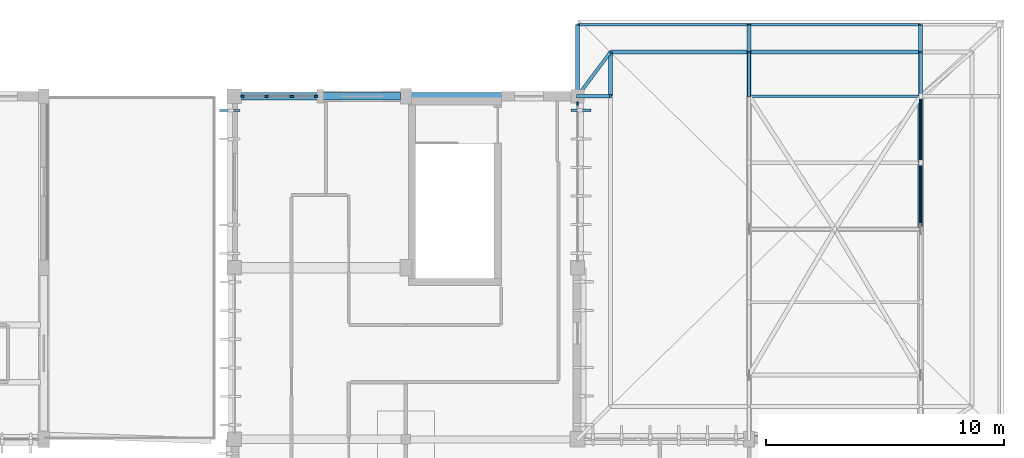
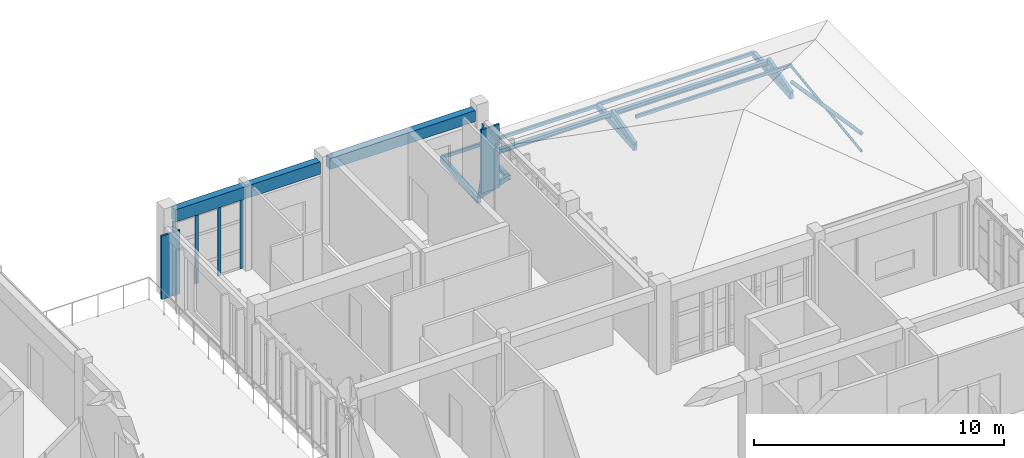
# One storey, part 17 of 51: 22 members, 2 beams, 2 elements without a shape of their own.
"""IFC4 building model written with IfcOpenShell, lengths in metres."""

from ifc_helpers import new_model, si_unit, direction, frame, origin, origin_2d, place, context, subcontext, project, spatial, rectangle, hollow_rectangle, hollow_circle, i_section, extrude, material, material_profile, profile_set, type_object, element, aggregate, save


model = new_model("IFC4")

# Units and contexts
model_context = context("Model", 3, precision=1e-05, world=origin(), true_north=direction((0.0, 1.0)))
body_context = subcontext(model_context, "Body", "Model", "MODEL_VIEW")
ifc_project = project(units=[si_unit("LENGTHUNIT", "METRE"), si_unit("AREAUNIT", "SQUARE_METRE"), si_unit("VOLUMEUNIT", "CUBIC_METRE"), si_unit("PLANEANGLEUNIT", "RADIAN"), si_unit("MASSUNIT", "GRAM", prefix="KILO")], contexts=[model_context])

# Site, building, storey
site_placement = place(None, origin())
site = spatial("IfcSite", under=ifc_project, at=site_placement, CompositionType="ELEMENT")
building_placement = place(site_placement, origin())
building = spatial("IfcBuilding", under=site, at=building_placement, Name="Steenspoor Specialist Clinic", CompositionType="ELEMENT")
storey_placement = place(building_placement, frame((0.0, 0.0, 17.39990234375)))
storey = spatial("IfcBuildingStorey", under=building, at=storey_placement, Name="L04", CompositionType="ELEMENT", Elevation=17.39990234375)

# Curtain wall, member
ifc_material_1 = material(Name="Thermally broken aluminium and low-emissivity glass", Category="aluminium")
curtain_wall_type_1 = type_object("IfcCurtainWallType", Name="CW-TYP-240X355", PredefinedType="USERDEFINED", material=ifc_material_1)
curtain_wall_1_placement = place(storey_placement, origin())
curtain_wall_1 = element("IfcCurtainWall", 1, at=curtain_wall_1_placement, inside=storey, type_object=curtain_wall_type_1, Name="Unitised Curtain Wall CW-V6-L04-208", ObjectType="UNITISED GLAZING", PredefinedType="USERDEFINED")
ifc_material_2 = material(Name="Thermally broken aluminium 6063-T6", Category="aluminium")
ifc_material_profile_1 = material_profile(ifc_material_2, rectangle(XDim=0.06005859375, YDim=0.135009765625, at=origin_2d()), Name="CWM-60X135")
ifc_profile_set_1 = profile_set([ifc_material_profile_1], Name="Thermally broken aluminium 6063-T6")
member_type_1 = type_object("IfcMemberType", Name="CW-MULL-60X135", PredefinedType="MULLION", material=ifc_profile_set_1)
member_1_placement = place(storey_placement, frame((132.39990234375, 108.044921875, 0.0), z_axis=(0.0, 0.0, 1.0), x_axis=(1.0, 0.0, 0.0)))
member_1 = element("IfcMember", 2, at=member_1_placement, type_object=member_type_1, Name="CW-16 mullion 1", PredefinedType="MULLION", context=body_context, shape_type="SweptSolid", body=[
    extrude(rectangle(XDim=0.06005859375, YDim=0.135009765625, at=origin_2d()), origin(), (0.0, 0.0, 1.0), 3.380126953125),
])
aggregate(curtain_wall_1, [member_1])

# Curtain wall, members
curtain_wall_type_2 = type_object("IfcCurtainWallType", Name="CW-TYP-300X355", PredefinedType="USERDEFINED", material=ifc_material_1)
curtain_wall_2_placement = place(storey_placement, origin())
curtain_wall_2 = element("IfcCurtainWall", 3, at=curtain_wall_2_placement, inside=storey, type_object=curtain_wall_type_2, Name="Unitised Curtain Wall CW-V6-L04-207", ObjectType="UNITISED GLAZING", PredefinedType="USERDEFINED")
ifc_material_profile_2 = material_profile(ifc_material_2, rectangle(XDim=0.06494140625, YDim=0.14990234375, at=origin_2d()), Name="CWM-65X150")
ifc_profile_set_2 = profile_set([ifc_material_profile_2], Name="Thermally broken aluminium 6063-T6")
member_type_2 = type_object("IfcMemberType", Name="CW-MULL-65X150", PredefinedType="MULLION", material=ifc_profile_set_2)
member_2_placement = place(storey_placement, frame((118.33251953125, 108.35009765625, 0.0), z_axis=(0.0, 0.0, 1.0), x_axis=(0.0, 1.0, 0.0)))
member_2 = element("IfcMember", 4, at=member_2_placement, type_object=member_type_2, Name="CW-15 mullion 1", PredefinedType="MULLION", context=body_context, shape_type="SweptSolid", body=[
    extrude(rectangle(XDim=0.06494140625, YDim=0.14990234375, at=origin_2d()), origin(), (0.0, 0.0, 1.0), 3.380126953125),
])
member_3_placement = place(storey_placement, frame((119.353271484375, 108.35009765625, 0.0), z_axis=(0.0, 0.0, 1.0), x_axis=(0.0, 1.0, 0.0)))
member_3 = element("IfcMember", 5, at=member_3_placement, type_object=member_type_2, Name="CW-15 mullion 2", PredefinedType="MULLION", context=body_context, shape_type="SweptSolid", body=[
    extrude(rectangle(XDim=0.06494140625, YDim=0.14990234375, at=origin_2d()), origin(), (0.0, 0.0, 1.0), 3.380126953125),
])
member_4_placement = place(storey_placement, frame((120.40673828125, 108.35009765625, 0.0), z_axis=(0.0, 0.0, 1.0), x_axis=(0.0, 1.0, 0.0)))
member_4 = element("IfcMember", 6, at=member_4_placement, type_object=member_type_2, Name="CW-15 mullion 3", PredefinedType="MULLION", context=body_context, shape_type="SweptSolid", body=[
    extrude(rectangle(XDim=0.06494140625, YDim=0.14990234375, at=origin_2d()), origin(), (0.0, 0.0, 1.0), 3.380126953125),
])
member_5_placement = place(storey_placement, frame((121.427490234375, 108.35009765625, 0.0), z_axis=(0.0, 0.0, 1.0), x_axis=(0.0, 1.0, 0.0)))
member_5 = element("IfcMember", 7, at=member_5_placement, type_object=member_type_2, Name="CW-15 mullion 4", PredefinedType="MULLION", context=body_context, shape_type="SweptSolid", body=[
    extrude(rectangle(XDim=0.06494140625, YDim=0.14990234375, at=origin_2d()), origin(), (0.0, 0.0, 1.0), 3.380126953125),
])
aggregate(curtain_wall_2, [member_2, member_3, member_4, member_5])

# Members
ifc_material_3 = material(Name="Steel A500 Grade C", Category="steel")
ifc_material_profile_3 = material_profile(ifc_material_3, hollow_circle(Radius=0.084228515625, WallThickness=0.007080078125, at=origin_2d()), Name="CHS168X7.1")
ifc_profile_set_3 = profile_set([ifc_material_profile_3], Name="Steel A500 Grade C")
member_type_3 = type_object("IfcMemberType", Name="MEM-BRACE-CHS168", PredefinedType="BRACE", material=ifc_profile_set_3)
member_6_placement = place(storey_placement, frame((146.800048828125, 102.764892578125, 1.069091796875), z_axis=(0.0, 0.988153469822, -0.15346895477), x_axis=(-1.0, 0.0, 0.0)))
element("IfcMember", 8, at=member_6_placement, inside=storey, type_object=member_type_3, Name="ROOF TRUSS Web Brace V6T3 3.2", PredefinedType="BRACE", context=body_context, shape_type="SweptSolid", body=[
    extrude(hollow_circle(Radius=0.084228515625, WallThickness=0.007080078125, at=origin_2d()), origin(), (0.0, 0.0, 1.0), 5.652099609375),
])
ifc_material_profile_4 = material_profile(ifc_material_3, hollow_rectangle(XDim=0.1015625, YDim=0.15234375, WallThickness=0.005859375, at=origin_2d()), Name="HSS152X102X6.4")
ifc_profile_set_4 = profile_set([ifc_material_profile_4], Name="Steel A500 Grade C")
member_type_4 = type_object("IfcMemberType", Name="MEM-PURLIN-H152", PredefinedType="PURLIN", material=ifc_profile_set_4)
member_7_placement = place(storey_placement, frame((132.39990234375, 111.35009765625, -0.2431640625), z_axis=(1.0, 0.0, 0.0), x_axis=(0.0, 1.0, 0.0)))
element("IfcMember", 9, at=member_7_placement, inside=storey, type_object=member_type_4, Name="ROOF TRUSS Eave Fascia 492", PredefinedType="PURLIN", context=body_context, shape_type="SweptSolid", body=[
    extrude(hollow_rectangle(XDim=0.1015625, YDim=0.15234375, WallThickness=0.005859375, at=origin_2d()), origin(), (0.0, 0.0, 1.0), 7.2001953125),
])
for number, where, z_axis, x_axis, name in (
    (10, (139.60009765625, 111.35009765625, -0.19482421875), (1.0, 0.0, 0.0), (0.0, 1.0, 0.0), "ROOF TRUSS Eave Fascia 493"),
    (11, (139.60009765625, 108.35009765625, 1.023681640625), (1.0, 0.0, 0.0), (0.0, 1.0, 0.0), "ROOF TRUSS Purlin 511"),
):
    element("IfcMember", number, at=place(storey_placement, frame(where, z_axis=z_axis, x_axis=x_axis)), inside=storey, type_object=member_type_4, Name=name, PredefinedType="PURLIN", context=body_context, shape_type="SweptSolid", body=[
        extrude(hollow_rectangle(XDim=0.1015625, YDim=0.15234375, WallThickness=0.005859375, at=origin_2d()), origin(), (0.0, 0.0, 1.0), 7.199951171875),
    ])
ifc_material_4 = material(Name="Steel A992 Grade 50", Category="steel")
ifc_material_profile_5 = material_profile(ifc_material_4, i_section(OverallWidth=0.1650390625, OverallDepth=0.200927734375, WebThickness=0.006103515625, FlangeThickness=0.01025390625, at=origin_2d()), Name="W200X36")
ifc_profile_set_5 = profile_set([ifc_material_profile_5], Name="Steel A992 Grade 50")
member_type_5 = type_object("IfcMemberType", Name="MEM-PURLIN-W200", PredefinedType="PURLIN", material=ifc_profile_set_5)
member_8_placement = place(storey_placement, frame((133.780029296875, 110.199951171875, 0.065185546875), z_axis=(1.0, 0.0, 0.0), x_axis=(0.0, 1.0, 0.0)))
element("IfcMember", 12, at=member_8_placement, inside=storey, type_object=member_type_5, Name="ROOF TRUSS Knuckle Purlin 498", PredefinedType="PURLIN", context=body_context, shape_type="SweptSolid", body=[
    extrude(i_section(OverallWidth=0.1650390625, OverallDepth=0.200927734375, WebThickness=0.006103515625, FlangeThickness=0.01025390625, at=origin_2d()), origin(), (0.0, 0.0, 1.0), 5.820068359375),
])
member_9_placement = place(storey_placement, frame((139.60009765625, 110.199951171875, 0.065185546875), z_axis=(1.0, 0.0, 0.0), x_axis=(0.0, 1.0, 0.0)))
element("IfcMember", 13, at=member_9_placement, inside=storey, type_object=member_type_5, Name="ROOF TRUSS Knuckle Purlin 500", PredefinedType="PURLIN", context=body_context, shape_type="SweptSolid", body=[
    extrude(i_section(OverallWidth=0.1650390625, OverallDepth=0.200927734375, WebThickness=0.006103515625, FlangeThickness=0.01025390625, at=origin_2d()), origin(), (0.0, 0.0, 1.0), 7.199951171875),
])
member_10_placement = place(storey_placement, frame((133.780029296875, 108.35009765625, 0.065185546875), z_axis=(0.0, 1.0, 0.0), x_axis=(-1.0, 0.0, 0.0)))
element("IfcMember", 14, at=member_10_placement, inside=storey, type_object=member_type_5, Name="ROOF TRUSS Knuckle Purlin 504", PredefinedType="PURLIN", context=body_context, shape_type="SweptSolid", body=[
    extrude(i_section(OverallWidth=0.1650390625, OverallDepth=0.200927734375, WebThickness=0.006103515625, FlangeThickness=0.01025390625, at=origin_2d()), origin(), (0.0, 0.0, 1.0), 1.849853515625),
])
ifc_material_5 = material(Name="Glulam GL28h", Category="wood")
ifc_material_profile_6 = material_profile(ifc_material_5, rectangle(XDim=0.139892578125, YDim=0.219970703125, at=origin_2d()), Name="GL28H-140X220")
ifc_profile_set_6 = profile_set([ifc_material_profile_6], Name="Glulam GL28h")
member_type_6 = type_object("IfcMemberType", Name="MEM-RAFTER-GL220", PredefinedType="RAFTER", material=ifc_profile_set_6)
for number, where, z_axis, x_axis, name in (
    (15, (139.60009765625, 108.35009765625, -0.341796875), (0.0, 0.962883467789, 0.269917445636), (-1.0, 0.0, 0.0), "ROOF TRUSS Knuckle Rafter V6T3 338"),
    (16, (146.800048828125, 108.35009765625, -0.341796875), (0.0, 0.962883467789, 0.269917445636), (-1.0, 0.0, 0.0), "ROOF TRUSS Knuckle Rafter V6T3 341"),
):
    element("IfcMember", number, at=place(storey_placement, frame(where, z_axis=z_axis, x_axis=x_axis)), inside=storey, type_object=member_type_6, Name=name, PredefinedType="RAFTER", context=body_context, shape_type="SweptSolid", body=[
        extrude(rectangle(XDim=0.139892578125, YDim=0.219970703125, at=origin_2d()), origin(), (0.0, 0.0, 1.0), 1.921142578125),
    ])
member_11_placement = place(storey_placement, frame((132.39990234375, 108.35009765625, -0.3349609375), z_axis=(0.937624653648, 0.0, 0.347649261285), x_axis=(0.0, 1.0, 0.0)))
element("IfcMember", 17, at=member_11_placement, inside=storey, type_object=member_type_6, Name="ROOF TRUSS Knuckle Rafter V6T3 342", PredefinedType="RAFTER", context=body_context, shape_type="SweptSolid", body=[
    extrude(rectangle(XDim=0.139892578125, YDim=0.219970703125, at=origin_2d()), origin(), (0.0, 0.0, 1.0), 1.471923828125),
])
member_12_placement = place(storey_placement, frame((132.39990234375, 108.35009765625, -0.396484375), z_axis=(0.580350864712, 0.777873430378, 0.24105144708), x_axis=(-0.801508027502, 0.597984014711, 0.0)))
element("IfcMember", 18, at=member_12_placement, inside=storey, type_object=member_type_6, Name="ROOF TRUSS Corner Knuckle Rafter V6T3 347", PredefinedType="RAFTER", context=body_context, shape_type="SweptSolid", body=[
    extrude(rectangle(XDim=0.139892578125, YDim=0.219970703125, at=origin_2d()), origin(), (0.0, 0.0, 1.0), 2.378173828125),
])
ifc_material_profile_7 = material_profile(ifc_material_5, rectangle(XDim=0.159912109375, YDim=0.280029296875, at=origin_2d()), Name="GL28H-160X280")
ifc_profile_set_7 = profile_set([ifc_material_profile_7], Name="Glulam GL28h")
member_type_7 = type_object("IfcMemberType", Name="MEM-RAFTER-GL280", PredefinedType="RAFTER", material=ifc_profile_set_7)
for number, where, z_axis, x_axis, name in (
    (19, (132.39990234375, 108.35009765625, -0.5400390625), (0.0, 0.996993561113, 0.077484444243), (-1.0, 0.0, 0.0), "ROOF TRUSS Flared Eave Glulam Outrigger V6T3 335"),
    (20, (139.60009765625, 108.35009765625, -0.5), (0.0, 0.996993561113, 0.077484444243), (-1.0, 0.0, 0.0), "ROOF TRUSS Flared Eave Glulam Outrigger V6T3 337"),
    (21, (146.800048828125, 108.35009765625, -0.5), (0.0, 0.996993561113, 0.077484444243), (-1.0, 0.0, 0.0), "ROOF TRUSS Flared Eave Glulam Outrigger V6T3 340"),
):
    element("IfcMember", number, at=place(storey_placement, frame(where, z_axis=z_axis, x_axis=x_axis)), inside=storey, type_object=member_type_7, Name=name, PredefinedType="RAFTER", context=body_context, shape_type="SweptSolid", body=[
        extrude(rectangle(XDim=0.159912109375, YDim=0.280029296875, at=origin_2d()), origin(), (0.0, 0.0, 1.0), 3.009033203125),
    ])
ifc_material_profile_8 = material_profile(ifc_material_5, rectangle(XDim=0.090087890625, YDim=0.85009765625, at=origin_2d()), Name="GL28H-90X850")
ifc_profile_set_8 = profile_set([ifc_material_profile_8], Name="Glulam GL28h")
member_type_8 = type_object("IfcMemberType", Name="MEM-SCREEN-GL850", PredefinedType="STRUT", material=ifc_profile_set_8)
for number, where, z_axis, x_axis, name in (
    (22, (117.81005859375, 107.75, 0.27001953125), (0.0, 0.0, 1.0), (0.0, 1.0, 0.0), "Glulam Timber Screen Fin SCR-FIN-V6-L04-0281"),
    (23, (132.550048828125, 107.762451171875, 0.27001953125), (0.0, 0.0, 1.0), (0.0, -1.0, 0.0), "Glulam Timber Screen Fin SCR-FIN-V6-L04-0284"),
):
    element("IfcMember", number, at=place(storey_placement, frame(where, z_axis=z_axis, x_axis=x_axis)), inside=storey, type_object=member_type_8, Name=name, PredefinedType="STRUT", context=body_context, shape_type="SweptSolid", body=[
        extrude(rectangle(XDim=0.090087890625, YDim=0.85009765625, at=origin_2d()), origin(), (0.0, 0.0, 1.0), 3.10009765625),
    ])
ifc_material_profile_9 = material_profile(ifc_material_3, hollow_circle(Radius=0.05712890625, WallThickness=0.006103515625, at=origin_2d()), Name="CHS114X6.0")
ifc_profile_set_9 = profile_set([ifc_material_profile_9], Name="Steel A500 Grade C")
member_type_9 = type_object("IfcMemberType", Name="MEM-STRUT-CHS114", PredefinedType="STRUT", material=ifc_profile_set_9)
member_13_placement = place(storey_placement, frame((146.800048828125, 102.764892578125, 0.20166015625), z_axis=(0.0, 0.991421370359, 0.130704500284), x_axis=(-1.0, 0.0, 0.0)))
element("IfcMember", 24, at=member_13_placement, inside=storey, type_object=member_type_9, Name="ROOF TRUSS Web Strut V6T3 3.2", PredefinedType="STRUT", context=body_context, shape_type="SweptSolid", body=[
    extrude(hollow_circle(Radius=0.05712890625, WallThickness=0.006103515625, at=origin_2d()), origin(), (0.0, 0.0, 1.0), 5.633544921875),
])

# Beams
ifc_material_6 = material(Name="Concrete C35/45", Category="concrete")
ifc_material_profile_10 = material_profile(ifc_material_6, rectangle(XDim=0.320068359375, YDim=0.5400390625, at=origin_2d()), Name="RC-SP-320X540")
ifc_profile_set_10 = profile_set([ifc_material_profile_10], Name="Concrete C35/45")
beam_type_1 = type_object("IfcBeamType", Name="SP-RC-320X540", PredefinedType="SPANDREL", material=ifc_profile_set_10)
beam_1_placement = place(storey_placement, frame((125.419921875, 108.35009765625, 3.76513671875), z_axis=(1.0, 0.0, 0.0), x_axis=(0.0, 1.0, 0.0)))
element("IfcBeam", 25, at=beam_1_placement, inside=storey, type_object=beam_type_1, Name="BM-V6-L04-X1802", PredefinedType="SPANDREL", context=body_context, shape_type="SweptSolid", body=[
    extrude(rectangle(XDim=0.320068359375, YDim=0.5400390625, at=origin_2d()), origin(), (0.0, 0.0, 1.0), 6.7099609375),
])
ifc_material_profile_11 = material_profile(ifc_material_6, rectangle(XDim=0.320068359375, YDim=0.60009765625, at=origin_2d()), Name="RC-SP-320X600")
ifc_profile_set_11 = profile_set([ifc_material_profile_11], Name="Concrete C35/45")
beam_type_2 = type_object("IfcBeamType", Name="SP-RC-320X600", PredefinedType="SPANDREL", material=ifc_profile_set_11)
beam_2_placement = place(storey_placement, frame((118.294921875, 108.35009765625, 3.735107421875), z_axis=(1.0, 0.0, 0.0), x_axis=(0.0, 1.0, 0.0)))
element("IfcBeam", 26, at=beam_2_placement, inside=storey, type_object=beam_type_2, Name="BM-V6-L04-X1801", PredefinedType="SPANDREL", context=body_context, shape_type="SweptSolid", body=[
    extrude(rectangle(XDim=0.320068359375, YDim=0.60009765625, at=origin_2d()), origin(), (0.0, 0.0, 1.0), 6.68505859375),
])

save(model, "model.ifc")
